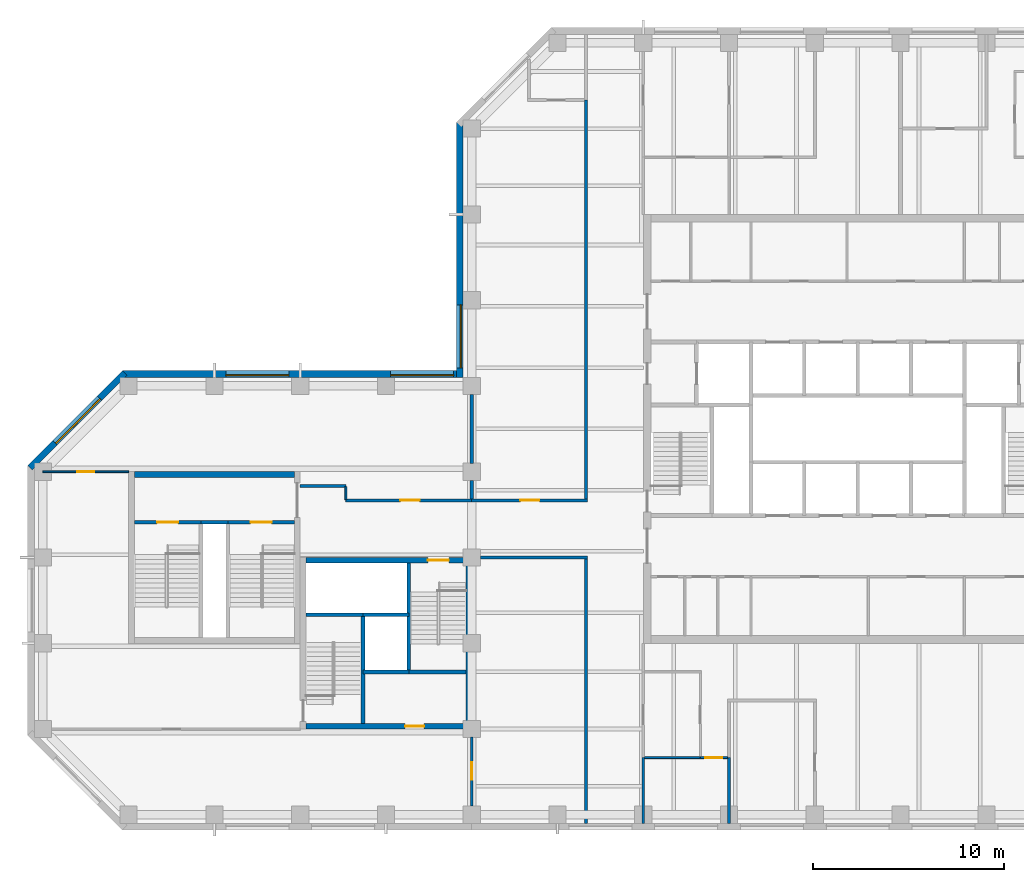
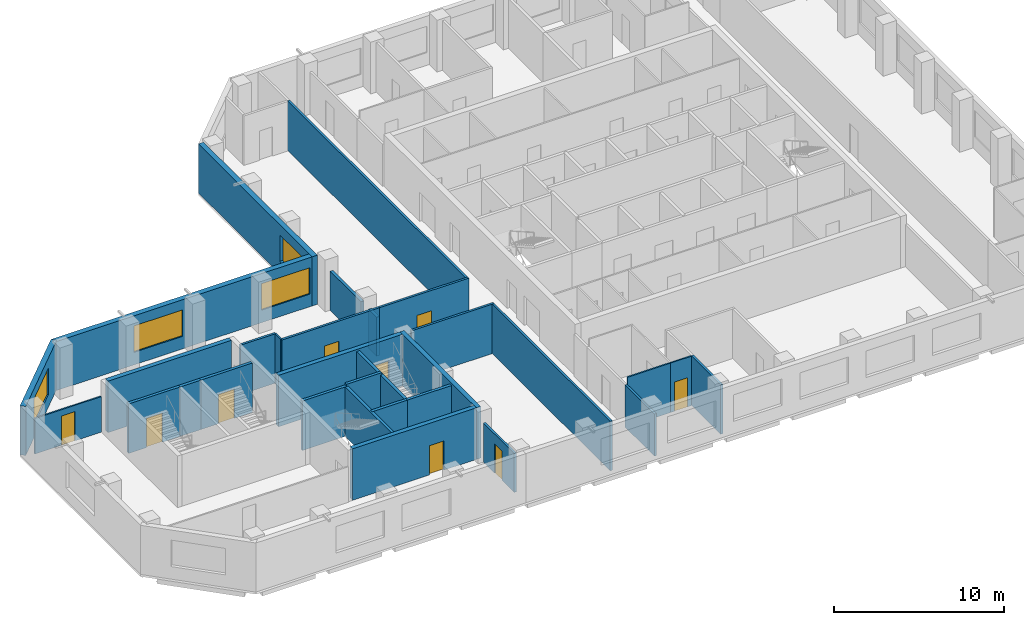
# One storey, part 3 of 9: 31 walls, 9 doors, 4 windows, 13 openings.
"""IFC4 building model written with IfcOpenShell, lengths in metres."""

from ifc_helpers import new_model, si_unit, direction, frame, frame_2d, origin, place, context, subcontext, project, spatial, rectangle, extrude, material, layer, layer_set, constituent, constituent_set, type_object, element, fill, save


model = new_model("IFC4")

# Units and contexts
model_context = context("Model", 3, precision=1e-05, world=origin(), true_north=direction((0.0, 1.0)))
body_context = subcontext(model_context, "Body", "Model", "MODEL_VIEW")
ifc_project = project(units=[si_unit("LENGTHUNIT", "METRE"), si_unit("AREAUNIT", "SQUARE_METRE"), si_unit("VOLUMEUNIT", "CUBIC_METRE"), si_unit("PLANEANGLEUNIT", "RADIAN"), si_unit("MASSUNIT", "GRAM", prefix="KILO")], contexts=[model_context])

# Site, building, storey
site_placement = place(None, origin())
site = spatial("IfcSite", under=ifc_project, at=site_placement, CompositionType="ELEMENT")
building_placement = place(site_placement, origin())
building = spatial("IfcBuilding", under=site, at=building_placement, Name="Quoin Convention Tower", CompositionType="ELEMENT")
storey_placement = place(building_placement, frame((0.0, 0.0, 169.89990234375)))
storey = spatial("IfcBuildingStorey", under=building, at=storey_placement, Name="L44", CompositionType="ELEMENT", Elevation=169.89990234375)

# Wall
ifc_material_1 = material(Name="Plasterboard")
ifc_layer_1 = layer(ifc_material_1, 0.012451171875, Name="Finish")
ifc_material_2 = material(Name="Steel stud framing", Category="steel")
ifc_layer_2 = layer(ifc_material_2, 0.125, Name="Structure")
ifc_layer_3 = layer(ifc_material_1, 0.012451171875, Name="Finish")
ifc_layer_set_1 = layer_set([ifc_layer_1, ifc_layer_2, ifc_layer_3], Name="Steel stud framing")
wall_type_1 = type_object("IfcWallType", Name="Acoustic partition 150", PredefinedType="PARTITIONING", material=ifc_layer_set_1)
wall_1_placement = place(storey_placement, frame((49.5, 40.050048828125, 0.0), z_axis=(0.0, 0.0, 1.0), x_axis=(0.0, 1.0, 0.0)))
element("IfcWall", 1, at=wall_1_placement, inside=storey, type_object=wall_type_1, Name="pw-L44-029", PredefinedType="PARTITIONING", context=body_context, shape_type="SweptSolid", body=[
    extrude(rectangle(XDim=3.449951171875, YDim=0.14990234375, at=frame_2d((1.72509765625, 0.0))), origin(), (0.0, 0.0, 1.0), 3.550048828125),
])

# Wall, opening, window
ifc_material_3 = material(Name="Brick masonry", Category="masonry")
ifc_layer_4 = layer(ifc_material_3, 0.35009765625)
ifc_layer_set_2 = layer_set([ifc_layer_4], Name="Brick masonry")
wall_type_2 = type_object("IfcWallType", Name="Brick facade wall", PredefinedType="STANDARD", material=ifc_layer_set_2)
wall_2_placement = place(storey_placement, frame((35.375, 76.831298828125, 0.0), z_axis=(0.0, 0.0, 1.0), x_axis=(0.0, -1.0, 0.0)))
wall_2 = element("IfcWall", 2, at=wall_2_placement, inside=storey, type_object=wall_type_2, Name="fw-L44-36000_76500", PredefinedType="STANDARD", context=body_context, shape_type="SweptSolid", body=[
    extrude(rectangle(XDim=13.38134765625, YDim=0.35009765625, at=frame_2d((6.690673828125, 0.0))), origin(), (0.0, 0.0, 1.0), 3.525146484375),
])
opening_1_placement = place(wall_2_placement, frame((9.581298828125, 0.0, 0.89990234375)))
opening_1 = element("IfcOpeningElement", 3, at=opening_1_placement, cuts=wall_2, Name="Opening W-02", PredefinedType="OPENING", context=body_context, shape_type="SweptSolid", body=[
    extrude(rectangle(XDim=3.300048828125, YDim=1.89990234375, at=frame_2d((1.64990234375, 0.949951171875))), frame((0.0, 0.18505859375, 0.0), z_axis=(0.0, -1.0, 0.0), x_axis=(1.0, 0.0, 0.0)), (0.0, 0.0, 1.0), 0.3701171875),
])
ifc_material_4 = material(Name="Aluminium", Category="aluminium")
ifc_constituent_1 = constituent(ifc_material_4, Name="Frame")
ifc_material_5 = material(Name="Insulated glass", Category="glass")
ifc_constituent_2 = constituent(ifc_material_5, Name="Glazing")
ifc_constituent_set = constituent_set(constituents=[ifc_constituent_1, ifc_constituent_2], Name="Aluminium")
window_type = type_object("IfcWindowType", Name="Office window", PartitioningType="DOUBLE_PANEL_VERTICAL", PredefinedType="WINDOW", material=ifc_constituent_set)
window_1_placement = place(opening_1_placement, origin())
window_1 = element("IfcWindow", 4, at=window_1_placement, inside=storey, type_object=window_type, Name="win-L44-35375_65250", OverallHeight=1.89990234375, OverallWidth=3.300048828125, PartitioningType="SINGLE_PANEL", PredefinedType="WINDOW", context=body_context, shape_type="SweptSolid", body=[
    extrude(rectangle(XDim=3.300048828125, YDim=1.89990234375, at=frame_2d((1.64990234375, 0.949951171875))), frame((0.0, 0.0849609375, 0.0), z_axis=(0.0, -1.0, 0.0), x_axis=(1.0, 0.0, 0.0)), (0.0, 0.0, 1.0), 0.06005859375),
])
fill(opening_1, window_1)

# Wall, openings, windows
wall_3_placement = place(storey_placement, frame((35.550048828125, 63.625, 0.0), z_axis=(0.0, 0.0, 1.0), x_axis=(-1.0, 0.0, 0.0)))
wall_3 = element("IfcWall", 5, at=wall_3_placement, inside=storey, type_object=wall_type_2, Name="fw-L44-36000_63000", PredefinedType="STANDARD", context=body_context, shape_type="SweptSolid", body=[
    extrude(rectangle(XDim=17.88134765625, YDim=0.35009765625, at=frame_2d((8.940673828125, 0.0))), origin(), (0.0, 0.0, 1.0), 3.525146484375),
])
opening_2_placement = place(wall_3_placement, frame((0.5, 0.0, 0.89990234375)))
opening_2 = element("IfcOpeningElement", 6, at=opening_2_placement, cuts=wall_3, Name="Opening W-02", PredefinedType="OPENING", context=body_context, shape_type="SweptSolid", body=[
    extrude(rectangle(XDim=3.300048828125, YDim=1.89990234375, at=frame_2d((1.64990234375, 0.949951171875))), frame((0.0, 0.18505859375, 0.0), z_axis=(0.0, -1.0, 0.0), x_axis=(1.0, 0.0, 0.0)), (0.0, 0.0, 1.0), 0.3701171875),
])
opening_3_placement = place(wall_3_placement, frame((9.14990234375, 0.0, 0.89990234375)))
opening_3 = element("IfcOpeningElement", 7, at=opening_3_placement, cuts=wall_3, Name="Opening W-02", PredefinedType="OPENING", context=body_context, shape_type="SweptSolid", body=[
    extrude(rectangle(XDim=3.300048828125, YDim=1.89990234375, at=frame_2d((1.64990234375, 0.949951171875))), frame((0.0, 0.18505859375, 0.0), z_axis=(0.0, -1.0, 0.0), x_axis=(1.0, 0.0, 0.0)), (0.0, 0.0, 1.0), 0.3701171875),
])
window_2_placement = place(opening_2_placement, origin())
window_2 = element("IfcWindow", 8, at=window_2_placement, inside=storey, type_object=window_type, Name="win-L44-33750_63625", OverallHeight=1.89990234375, OverallWidth=3.300048828125, PartitioningType="SINGLE_PANEL", PredefinedType="WINDOW", context=body_context, shape_type="SweptSolid", body=[
    extrude(rectangle(XDim=3.300048828125, YDim=1.89990234375, at=frame_2d((1.64990234375, 0.949951171875))), frame((0.0, 0.0849609375, 0.0), z_axis=(0.0, -1.0, 0.0), x_axis=(1.0, 0.0, 0.0)), (0.0, 0.0, 1.0), 0.06005859375),
])
fill(opening_2, window_2)
window_3_placement = place(opening_3_placement, origin())
window_3 = element("IfcWindow", 9, at=window_3_placement, inside=storey, type_object=window_type, Name="win-L44-24750_63625", OverallHeight=1.89990234375, OverallWidth=3.300048828125, PartitioningType="SINGLE_PANEL", PredefinedType="WINDOW", context=body_context, shape_type="SweptSolid", body=[
    extrude(rectangle(XDim=3.300048828125, YDim=1.89990234375, at=frame_2d((1.64990234375, 0.949951171875))), frame((0.0, 0.0849609375, 0.0), z_axis=(0.0, -1.0, 0.0), x_axis=(1.0, 0.0, 0.0)), (0.0, 0.0, 1.0), 0.06005859375),
])
fill(opening_3, window_3)

# Wall, opening, window
wall_4_placement = place(storey_placement, frame((17.79248046875, 63.67626953125, 0.0), z_axis=(0.0, 0.0, 1.0), x_axis=(-0.707106781187, -0.707106781187, 0.0)))
wall_4 = element("IfcWall", 10, at=wall_4_placement, inside=storey, type_object=wall_type_2, Name="fw-L44-18000_63000", PredefinedType="STANDARD", context=body_context, shape_type="SweptSolid", body=[
    extrude(rectangle(XDim=7.02685546875, YDim=0.35009765625, at=frame_2d((3.513427734375, 0.0))), origin(), (0.0, 0.0, 1.0), 3.525146484375),
])
opening_4_placement = place(wall_4_placement, frame((1.86328125, 0.0, 0.89990234375)))
opening_4 = element("IfcOpeningElement", 11, at=opening_4_placement, cuts=wall_4, Name="Opening W-02", PredefinedType="OPENING", context=body_context, shape_type="SweptSolid", body=[
    extrude(rectangle(XDim=3.300048828125, YDim=1.89990234375, at=frame_2d((1.64990234375, 0.949951171875))), frame((0.0, 0.18505859375, 0.0), z_axis=(0.0, -1.0, 0.0), x_axis=(1.0, 0.0, 0.0)), (0.0, 0.0, 1.0), 0.3701171875),
])
window_4_placement = place(opening_4_placement, origin())
window_4 = element("IfcWindow", 12, at=window_4_placement, inside=storey, type_object=window_type, Name="win-L44-15308_61192", OverallHeight=1.89990234375, OverallWidth=3.300048828125, PartitioningType="SINGLE_PANEL", PredefinedType="WINDOW", context=body_context, shape_type="SweptSolid", body=[
    extrude(rectangle(XDim=3.300048828125, YDim=1.89990234375, at=frame_2d((1.64990234375, 0.949951171875))), frame((0.0, 0.0849609375, 0.0), z_axis=(0.0, -1.0, 0.0), x_axis=(1.0, 0.0, 0.0)), (0.0, 0.0, 1.0), 0.06005859375),
])
fill(opening_4, window_4)

# Walls
ifc_material_6 = material(Name="Concrete C50", Category="concrete")
ifc_layer_5 = layer(ifc_material_6, 0.199951171875)
ifc_layer_set_3 = layer_set([ifc_layer_5], Name="Concrete C50")
wall_type_3 = type_object("IfcWallType", Name="Core shaft wall", PredefinedType="SOLIDWALL", material=ifc_layer_set_3)
wall_5_placement = place(storey_placement, frame((30.300048828125, 48.0, 0.0), z_axis=(0.0, 0.0, 1.0), x_axis=(1.0, 0.0, 0.0)))
element("IfcWall", 13, at=wall_5_placement, inside=storey, type_object=wall_type_3, Name="cr-P2-L44-h3000_3300", PredefinedType="SOLIDWALL", context=body_context, shape_type="SweptSolid", body=[
    extrude(rectangle(XDim=2.39990234375, YDim=0.199951171875, at=frame_2d((1.199951171875, 0.0))), origin(), (0.0, 0.0, 1.0), 3.550048828125),
])
for number, where, z_axis, x_axis, name in (
    (14, (32.699951171875, 48.0, 0.0), (0.0, 0.0, 1.0), (1.0, 0.0, 0.0), "cr-P2-L44-h3000_5700"),
    (15, (27.300048828125, 51.0, 0.0), (0.0, 0.0, 1.0), (1.0, 0.0, 0.0), "cr-P2-L44-h6000_300"),
):
    element("IfcWall", number, at=place(storey_placement, frame(where, z_axis=z_axis, x_axis=x_axis)), inside=storey, type_object=wall_type_3, Name=name, PredefinedType="SOLIDWALL", context=body_context, shape_type="SweptSolid", body=[
        extrude(rectangle(XDim=3.0, YDim=0.199951171875, at=frame_2d((1.5, 0.0))), origin(), (0.0, 0.0, 1.0), 3.550048828125),
    ])
for number, where, z_axis, x_axis, name in (
    (16, (30.300048828125, 45.300048828125, 0.0), (0.0, 0.0, 1.0), (0.0, 1.0, 0.0), "cr-P2-L44-v3300_300"),
    (17, (32.699951171875, 48.0, 0.0), (0.0, 0.0, 1.0), (0.0, 1.0, 0.0), "cr-P2-L44-v5700_3000"),
):
    element("IfcWall", number, at=place(storey_placement, frame(where, z_axis=z_axis, x_axis=x_axis)), inside=storey, type_object=wall_type_3, Name=name, PredefinedType="SOLIDWALL", context=body_context, shape_type="SweptSolid", body=[
        extrude(rectangle(XDim=5.699951171875, YDim=0.199951171875, at=frame_2d((2.85009765625, 0.0))), origin(), (0.0, 0.0, 1.0), 3.550048828125),
    ])
wall_6_placement = place(storey_placement, frame((21.800048828125, 55.85009765625, 0.0), z_axis=(0.0, 0.0, 1.0), x_axis=(1.0, 0.0, 0.0)))
element("IfcWall", 18, at=wall_6_placement, inside=storey, type_object=wall_type_3, Name="cr-P6-L44-h6350_3800", PredefinedType="SOLIDWALL", context=body_context, shape_type="SweptSolid", body=[
    extrude(rectangle(XDim=1.39990234375, YDim=0.199951171875, at=frame_2d((0.699951171875, 0.0))), origin(), (0.0, 0.0, 1.0), 3.550048828125),
])

# Wall, opening, door
wall_7_placement = place(storey_placement, frame((18.300048828125, 55.85009765625, 0.0), z_axis=(0.0, 0.0, 1.0), x_axis=(1.0, 0.0, 0.0)))
wall_7 = element("IfcWall", 19, at=wall_7_placement, inside=storey, type_object=wall_type_3, Name="cr-P6-L44-h6350_300", PredefinedType="SOLIDWALL", context=body_context, shape_type="SweptSolid", body=[
    extrude(rectangle(XDim=3.5, YDim=0.199951171875, at=frame_2d((1.75, 0.0))), origin(), (0.0, 0.0, 1.0), 3.550048828125),
])
opening_5_placement = place(wall_7_placement, frame((1.199951171875, 0.0, 0.0)))
opening_5 = element("IfcOpeningElement", 20, at=opening_5_placement, cuts=wall_7, Name="Opening SD11", PredefinedType="OPENING", context=body_context, shape_type="SweptSolid", body=[
    extrude(rectangle(XDim=1.10009765625, YDim=2.10009765625, at=frame_2d((0.550048828125, 1.050048828125))), frame((0.0, 0.10986328125, 0.0), z_axis=(0.0, -1.0, 0.0), x_axis=(1.0, 0.0, 0.0)), (0.0, 0.0, 1.0), 0.219970703125),
])
ifc_material_7 = material(Name="Steel door leaf", Category="steel")
door_type_1 = type_object("IfcDoorType", Name="Stair door 1100 x 2100", OperationType="SINGLE_SWING_RIGHT", PredefinedType="DOOR", material=ifc_material_7)
door_1_placement = place(opening_5_placement, origin())
door_1 = element("IfcDoor", 21, at=door_1_placement, inside=storey, type_object=door_type_1, Name="cd-P6-L44-SA-R2-SD11", OperationType="SINGLE_SWING_RIGHT", OverallHeight=2.10009765625, OverallWidth=1.10009765625, PredefinedType="DOOR", context=body_context, shape_type="SweptSolid", body=[
    extrude(rectangle(XDim=1.10009765625, YDim=2.10009765625, at=frame_2d((0.550048828125, 1.050048828125))), frame((0.0, 0.02490234375, 0.0), z_axis=(0.0, -1.0, 0.0), x_axis=(1.0, 0.0, 0.0)), (0.0, 0.0, 1.0), 0.050048828125),
])
fill(opening_5, door_1)

wall_8_placement = place(storey_placement, frame((23.199951171875, 55.85009765625, 0.0), z_axis=(0.0, 0.0, 1.0), x_axis=(1.0, 0.0, 0.0)))
wall_8 = element("IfcWall", 22, at=wall_8_placement, inside=storey, type_object=wall_type_3, Name="cr-P6-L44-h6350_5200", PredefinedType="SOLIDWALL", context=body_context, shape_type="SweptSolid", body=[
    extrude(rectangle(XDim=3.5, YDim=0.199951171875, at=frame_2d((1.75, 0.0))), origin(), (0.0, 0.0, 1.0), 3.550048828125),
])
opening_6_placement = place(wall_8_placement, frame((1.199951171875, 0.0, 0.0)))
opening_6 = element("IfcOpeningElement", 23, at=opening_6_placement, cuts=wall_8, Name="Opening SD12", PredefinedType="OPENING", context=body_context, shape_type="SweptSolid", body=[
    extrude(rectangle(XDim=1.10009765625, YDim=2.10009765625, at=frame_2d((0.550048828125, 1.050048828125))), frame((0.0, 0.10986328125, 0.0), z_axis=(0.0, -1.0, 0.0), x_axis=(1.0, 0.0, 0.0)), (0.0, 0.0, 1.0), 0.219970703125),
])
door_2_placement = place(opening_6_placement, origin())
door_2 = element("IfcDoor", 24, at=door_2_placement, inside=storey, type_object=door_type_1, Name="cd-P6-L44-SB-R2-SD12", OperationType="SINGLE_SWING_RIGHT", OverallHeight=2.10009765625, OverallWidth=1.10009765625, PredefinedType="DOOR", context=body_context, shape_type="SweptSolid", body=[
    extrude(rectangle(XDim=1.10009765625, YDim=2.10009765625, at=frame_2d((0.550048828125, 1.050048828125))), frame((0.0, 0.02490234375, 0.0), z_axis=(0.0, -1.0, 0.0), x_axis=(1.0, 0.0, 0.0)), (0.0, 0.0, 1.0), 0.050048828125),
])
fill(opening_6, door_2)

# Walls
ifc_layer_6 = layer(ifc_material_6, 0.199951171875)
ifc_layer_set_4 = layer_set([ifc_layer_6], Name="Concrete C50")
wall_type_4 = type_object("IfcWallType", Name="Core shaft wall to the floor level over", PredefinedType="SOLIDWALL", material=ifc_layer_set_4)
wall_9_placement = place(storey_placement, frame((30.300048828125, 51.0, 0.0), z_axis=(0.0, 0.0, 1.0), x_axis=(1.0, 0.0, 0.0)))
element("IfcWall", 25, at=wall_9_placement, inside=storey, type_object=wall_type_4, Name="cr-P2-L44-h6000_3300", PredefinedType="SOLIDWALL", context=body_context, shape_type="SweptSolid", body=[
    extrude(rectangle(XDim=2.39990234375, YDim=0.199951171875, at=frame_2d((1.199951171875, 0.0))), origin(), (0.0, 0.0, 1.0), 3.7001953125),
])
ifc_layer_7 = layer(ifc_material_1, 0.012451171875, Name="Finish")
ifc_layer_8 = layer(ifc_material_2, 0.125, Name="Structure")
ifc_layer_9 = layer(ifc_material_1, 0.012451171875, Name="Finish")
ifc_layer_set_5 = layer_set([ifc_layer_7, ifc_layer_8, ifc_layer_9], Name="Steel stud framing")
wall_type_5 = type_object("IfcWallType", Name="Corridor wall 150", PredefinedType="PARTITIONING", material=ifc_layer_set_5)
wall_10_placement = place(storey_placement, frame((36.449951171875, 54.0, 0.0), z_axis=(0.0, 0.0, 1.0), x_axis=(1.0, 0.0, 0.0)))
element("IfcWall", 26, at=wall_10_placement, inside=storey, type_object=wall_type_5, Name="pw-L44-014", PredefinedType="PARTITIONING", context=body_context, shape_type="SweptSolid", body=[
    extrude(rectangle(XDim=5.625, YDim=0.14990234375, at=frame_2d((2.8125, 0.0))), origin(), (0.0, 0.0, 1.0), 3.550048828125),
])

# Wall, opening, door
wall_11_placement = place(storey_placement, frame((29.3798828125, 57.0, 0.0), z_axis=(0.0, 0.0, 1.0), x_axis=(1.0, 0.0, 0.0)))
wall_11 = element("IfcWall", 27, at=wall_11_placement, inside=storey, type_object=wall_type_5, Name="pw-L44-015", PredefinedType="PARTITIONING", context=body_context, shape_type="SweptSolid", body=[
    extrude(rectangle(XDim=6.6201171875, YDim=0.14990234375, at=frame_2d((3.31005859375, 0.0))), origin(), (0.0, 0.0, 1.0), 3.550048828125),
])
opening_7_placement = place(wall_11_placement, frame((2.8798828125, 0.0, 0.0)))
opening_7 = element("IfcOpeningElement", 28, at=opening_7_placement, cuts=wall_11, Name="Opening DOH4-04", PredefinedType="OPENING", context=body_context, shape_type="SweptSolid", body=[
    extrude(rectangle(XDim=1.0, YDim=2.10009765625, at=frame_2d((0.5, 1.050048828125))), frame((0.0, 0.0849609375, 0.0), z_axis=(0.0, -1.0, 0.0), x_axis=(1.0, 0.0, 0.0)), (0.0, 0.0, 1.0), 0.169921875),
])
door_type_2 = type_object("IfcDoorType", Name="Tenancy entrance door 1000 x 2100", OperationType="DOUBLE_DOOR_SINGLE_SWING", PredefinedType="DOOR", material=ifc_material_7)
door_3_placement = place(opening_7_placement, origin())
door_3 = element("IfcDoor", 29, at=door_3_placement, inside=storey, type_object=door_type_2, Name="dr-L44-w01", OperationType="DOUBLE_DOOR_SINGLE_SWING", OverallHeight=2.10009765625, OverallWidth=1.0, PredefinedType="DOOR", context=body_context, shape_type="SweptSolid", body=[
    extrude(rectangle(XDim=1.0, YDim=2.10009765625, at=frame_2d((0.5, 1.050048828125))), frame((0.0, 0.02490234375, 0.0), z_axis=(0.0, -1.0, 0.0), x_axis=(1.0, 0.0, 0.0)), (0.0, 0.0, 1.0), 0.050048828125),
])
fill(opening_7, door_3)

wall_12_placement = place(storey_placement, frame((36.0, 57.0, 0.0), z_axis=(0.0, 0.0, 1.0), x_axis=(1.0, 0.0, 0.0)))
wall_12 = element("IfcWall", 30, at=wall_12_placement, inside=storey, type_object=wall_type_5, Name="pw-L44-016", PredefinedType="PARTITIONING", context=body_context, shape_type="SweptSolid", body=[
    extrude(rectangle(XDim=6.074951171875, YDim=0.14990234375, at=frame_2d((3.03759765625, 0.0))), origin(), (0.0, 0.0, 1.0), 3.550048828125),
])
opening_8_placement = place(wall_12_placement, frame((2.550048828125, 0.0, 0.0)))
opening_8 = element("IfcOpeningElement", 31, at=opening_8_placement, cuts=wall_12, Name="Opening DOH4-05", PredefinedType="OPENING", context=body_context, shape_type="SweptSolid", body=[
    extrude(rectangle(XDim=1.0, YDim=2.10009765625, at=frame_2d((0.5, 1.050048828125))), frame((0.0, 0.0849609375, 0.0), z_axis=(0.0, -1.0, 0.0), x_axis=(1.0, 0.0, 0.0)), (0.0, 0.0, 1.0), 0.169921875),
])
door_4_placement = place(opening_8_placement, origin())
door_4 = element("IfcDoor", 32, at=door_4_placement, inside=storey, type_object=door_type_2, Name="dr-L44-09", OperationType="DOUBLE_DOOR_SINGLE_SWING", OverallHeight=2.10009765625, OverallWidth=1.0, PredefinedType="DOOR", context=body_context, shape_type="SweptSolid", body=[
    extrude(rectangle(XDim=1.0, YDim=2.10009765625, at=frame_2d((0.5, 1.050048828125))), frame((0.0, 0.02490234375, 0.0), z_axis=(0.0, -1.0, 0.0), x_axis=(1.0, 0.0, 0.0)), (0.0, 0.0, 1.0), 0.050048828125),
])
fill(opening_8, door_4)

# Walls
wall_13_placement = place(storey_placement, frame((42.0, 40.050048828125, 0.0), z_axis=(0.0, 0.0, 1.0), x_axis=(0.0, 1.0, 0.0)))
element("IfcWall", 33, at=wall_13_placement, inside=storey, type_object=wall_type_5, Name="pw-L44-027", PredefinedType="PARTITIONING", context=body_context, shape_type="SweptSolid", body=[
    extrude(rectangle(XDim=13.875, YDim=0.14990234375, at=frame_2d((6.9375, 0.0))), origin(), (0.0, 0.0, 1.0), 3.550048828125),
])
wall_14_placement = place(storey_placement, frame((42.0, 57.074951171875, 0.0), z_axis=(0.0, 0.0, 1.0), x_axis=(0.0, 1.0, 0.0)))
element("IfcWall", 34, at=wall_14_placement, inside=storey, type_object=wall_type_5, Name="pw-L44-048", PredefinedType="PARTITIONING", context=body_context, shape_type="SweptSolid", body=[
    extrude(rectangle(XDim=20.925048828125, YDim=0.14990234375, at=frame_2d((10.46240234375, 0.0))), origin(), (0.0, 0.0, 1.0), 3.550048828125),
])
wall_15_placement = place(storey_placement, frame((27.0, 57.75, 0.0), z_axis=(0.0, 0.0, 1.0), x_axis=(1.0, 0.0, 0.0)))
element("IfcWall", 35, at=wall_15_placement, inside=storey, type_object=wall_type_5, Name="pw-L44-w03", PredefinedType="PARTITIONING", context=body_context, shape_type="SweptSolid", body=[
    extrude(rectangle(XDim=2.39990234375, YDim=0.14990234375, at=frame_2d((1.199951171875, 0.0))), origin(), (0.0, 0.0, 1.0), 3.550048828125),
])
ifc_layer_10 = layer(ifc_material_1, 0.012451171875, Name="Finish")
ifc_layer_11 = layer(ifc_material_2, 0.125, Name="Structure")
ifc_layer_12 = layer(ifc_material_1, 0.012451171875, Name="Finish")
ifc_layer_set_6 = layer_set([ifc_layer_10, ifc_layer_11, ifc_layer_12], Name="Steel stud framing")
wall_type_6 = type_object("IfcWallType", Name="Corridor wall 150 under beam 528", PredefinedType="PARTITIONING", material=ifc_layer_set_6)
wall_16_placement = place(storey_placement, frame((45.0, 40.050048828125, 0.0), z_axis=(0.0, 0.0, 1.0), x_axis=(0.0, 1.0, 0.0)))
element("IfcWall", 36, at=wall_16_placement, inside=storey, type_object=wall_type_6, Name="pw-L44-028", PredefinedType="PARTITIONING", context=body_context, shape_type="SweptSolid", body=[
    extrude(rectangle(XDim=3.449951171875, YDim=0.14990234375, at=frame_2d((1.72509765625, 0.0))), origin(), (0.0, 0.0, 1.0), 3.022216796875),
])

# Wall, opening, door
ifc_layer_13 = layer(ifc_material_1, 0.012451171875, Name="Finish")
ifc_layer_14 = layer(ifc_material_2, 0.125, Name="Structure")
ifc_layer_15 = layer(ifc_material_1, 0.012451171875, Name="Finish")
ifc_layer_set_7 = layer_set([ifc_layer_13, ifc_layer_14, ifc_layer_15], Name="Steel stud framing")
wall_type_7 = type_object("IfcWallType", Name="Corridor wall 150 under beam 750", PredefinedType="PARTITIONING", material=ifc_layer_set_7)
wall_17_placement = place(storey_placement, frame((36.0, 40.949951171875, 0.0), z_axis=(0.0, 0.0, 1.0), x_axis=(0.0, 1.0, 0.0)))
wall_17 = element("IfcWall", 37, at=wall_17_placement, inside=storey, type_object=wall_type_7, Name="pw-L44-033", PredefinedType="PARTITIONING", context=body_context, shape_type="SweptSolid", body=[
    extrude(rectangle(XDim=3.630126953125, YDim=0.14990234375, at=frame_2d((1.81494140625, 0.0))), origin(), (0.0, 0.0, 1.0), 2.800048828125),
])
opening_9_placement = place(wall_17_placement, frame((1.39990234375, 0.0, 0.0)))
opening_9 = element("IfcOpeningElement", 38, at=opening_9_placement, cuts=wall_17, Name="Opening DOH4-11", PredefinedType="OPENING", context=body_context, shape_type="SweptSolid", body=[
    extrude(rectangle(XDim=0.89990234375, YDim=2.10009765625, at=frame_2d((0.449951171875, 1.050048828125))), frame((0.0, 0.0849609375, 0.0), z_axis=(0.0, -1.0, 0.0), x_axis=(1.0, 0.0, 0.0)), (0.0, 0.0, 1.0), 0.169921875),
])
door_type_3 = type_object("IfcDoorType", Name="Office door 900 x 2100", OperationType="SINGLE_SWING_RIGHT", PredefinedType="DOOR", material=ifc_material_7)
door_5_placement = place(opening_9_placement, origin())
door_5 = element("IfcDoor", 39, at=door_5_placement, inside=storey, type_object=door_type_3, Name="dr-L44-01", OperationType="SINGLE_SWING_RIGHT", OverallHeight=2.10009765625, OverallWidth=0.89990234375, PredefinedType="DOOR", context=body_context, shape_type="SweptSolid", body=[
    extrude(rectangle(XDim=0.89990234375, YDim=2.10009765625, at=frame_2d((0.449951171875, 1.050048828125))), frame((0.0, 0.02490234375, 0.0), z_axis=(0.0, -1.0, 0.0), x_axis=(1.0, 0.0, 0.0)), (0.0, 0.0, 1.0), 0.050048828125),
])
fill(opening_9, door_5)

ifc_layer_16 = layer(ifc_material_6, 0.300048828125)
ifc_layer_set_8 = layer_set([ifc_layer_16], Name="Concrete C50")
wall_type_8 = type_object("IfcWallType", Name="RC CORE WALL 300 C50", PredefinedType="SHEAR", material=ifc_layer_set_8)
wall_18_placement = place(storey_placement, frame((27.300048828125, 45.14990234375, 0.0), z_axis=(0.0, 0.0, 1.0), x_axis=(1.0, 0.0, 0.0)))
wall_18 = element("IfcWall", 40, at=wall_18_placement, inside=storey, type_object=wall_type_8, Name="cwl-P2-L44-S", PredefinedType="SHEAR", context=body_context, shape_type="SweptSolid", body=[
    extrude(rectangle(XDim=8.39990234375, YDim=0.300048828125, at=frame_2d((4.199951171875, 0.0))), origin(), (0.0, 0.0, 1.0), 3.7001953125),
])
opening_10_placement = place(wall_18_placement, frame((5.199951171875, 0.0, 0.0)))
opening_10 = element("IfcOpeningElement", 41, at=opening_10_placement, cuts=wall_18, Name="Opening DCV3-41", PredefinedType="OPENING", context=body_context, shape_type="SweptSolid", body=[
    extrude(rectangle(XDim=1.0, YDim=2.10009765625, at=frame_2d((0.5, 1.050048828125))), frame((0.0, 0.159912109375, 0.0), z_axis=(0.0, -1.0, 0.0), x_axis=(1.0, 0.0, 0.0)), (0.0, 0.0, 1.0), 0.320068359375),
])
door_type_4 = type_object("IfcDoorType", Name="Service door 1000 x 2100", OperationType="SINGLE_SWING_LEFT", PredefinedType="DOOR", material=ifc_material_7)
door_6_placement = place(opening_10_placement, frame((1.0, 0.0, 0.0), z_axis=(0.0, 0.0, 1.0), x_axis=(-1.0, 0.0, 0.0)))
door_6 = element("IfcDoor", 42, at=door_6_placement, inside=storey, type_object=door_type_4, Name="cd-P2-L44-R2-S", OperationType="SINGLE_SWING_LEFT", OverallHeight=2.10009765625, OverallWidth=1.0, PredefinedType="DOOR", context=body_context, shape_type="SweptSolid", body=[
    extrude(rectangle(XDim=1.0, YDim=2.10009765625, at=frame_2d((0.5, 1.050048828125))), frame((0.0, 0.02490234375, 0.0), z_axis=(0.0, -1.0, 0.0), x_axis=(1.0, 0.0, 0.0)), (0.0, 0.0, 1.0), 0.050048828125),
])
fill(opening_10, door_6)

wall_19_placement = place(storey_placement, frame((27.300048828125, 53.85009765625, 0.0), z_axis=(0.0, 0.0, 1.0), x_axis=(1.0, 0.0, 0.0)))
wall_19 = element("IfcWall", 43, at=wall_19_placement, inside=storey, type_object=wall_type_8, Name="cwl-P2-L44-N", PredefinedType="SHEAR", context=body_context, shape_type="SweptSolid", body=[
    extrude(rectangle(XDim=8.39990234375, YDim=0.300048828125, at=frame_2d((4.199951171875, 0.0))), origin(), (0.0, 0.0, 1.0), 3.7001953125),
])
opening_11_placement = place(wall_19_placement, frame((6.39990234375, 0.0, 0.0)))
opening_11 = element("IfcOpeningElement", 44, at=opening_11_placement, cuts=wall_19, Name="Opening SD4", PredefinedType="OPENING", context=body_context, shape_type="SweptSolid", body=[
    extrude(rectangle(XDim=1.10009765625, YDim=2.10009765625, at=frame_2d((0.550048828125, 1.050048828125))), frame((0.0, 0.159912109375, 0.0), z_axis=(0.0, -1.0, 0.0), x_axis=(1.0, 0.0, 0.0)), (0.0, 0.0, 1.0), 0.320068359375),
])
door_7_placement = place(opening_11_placement, frame((1.10009765625, 0.0, 0.0), z_axis=(0.0, 0.0, 1.0), x_axis=(-1.0, 0.0, 0.0)))
door_7 = element("IfcDoor", 45, at=door_7_placement, inside=storey, type_object=door_type_1, Name="cd-P2-L44-SB-N", OperationType="SINGLE_SWING_LEFT", OverallHeight=2.10009765625, OverallWidth=1.10009765625, PredefinedType="DOOR", context=body_context, shape_type="SweptSolid", body=[
    extrude(rectangle(XDim=1.10009765625, YDim=2.10009765625, at=frame_2d((0.550048828125, 1.050048828125))), frame((0.0, 0.02490234375, 0.0), z_axis=(0.0, -1.0, 0.0), x_axis=(1.0, 0.0, 0.0)), (0.0, 0.0, 1.0), 0.050048828125),
])
fill(opening_11, door_7)

# Walls
wall_20_placement = place(storey_placement, frame((35.85009765625, 45.0, 0.0), z_axis=(0.0, 0.0, 1.0), x_axis=(0.0, 1.0, 0.0)))
element("IfcWall", 46, at=wall_20_placement, inside=storey, type_object=wall_type_8, Name="cwl-P2-L44-E", PredefinedType="SHEAR", context=body_context, shape_type="SweptSolid", body=[
    extrude(rectangle(XDim=9.0, YDim=0.300048828125, at=frame_2d((4.5, 0.0))), origin(), (0.0, 0.0, 1.0), 3.7001953125),
])
wall_21_placement = place(storey_placement, frame((18.300048828125, 58.35009765625, 0.0), z_axis=(0.0, 0.0, 1.0), x_axis=(1.0, 0.0, 0.0)))
element("IfcWall", 47, at=wall_21_placement, inside=storey, type_object=wall_type_8, Name="cwl-P6-L44-N", PredefinedType="SHEAR", context=body_context, shape_type="SweptSolid", body=[
    extrude(rectangle(XDim=8.39990234375, YDim=0.300048828125, at=frame_2d((4.199951171875, 0.0))), origin(), (0.0, 0.0, 1.0), 3.7001953125),
])
ifc_layer_17 = layer(ifc_material_1, 0.012451171875, Name="Finish")
ifc_layer_18 = layer(ifc_material_2, 0.074951171875, Name="Structure")
ifc_layer_19 = layer(ifc_material_1, 0.012451171875, Name="Finish")
ifc_layer_set_9 = layer_set([ifc_layer_17, ifc_layer_18, ifc_layer_19], Name="Steel stud framing")
wall_type_9 = type_object("IfcWallType", Name="Stud partition 100", PredefinedType="PARTITIONING", material=ifc_layer_set_9)
wall_22_placement = place(storey_placement, frame((45.074951171875, 43.5, 0.0), z_axis=(0.0, 0.0, 1.0), x_axis=(1.0, 0.0, 0.0)))
element("IfcWall", 48, at=wall_22_placement, inside=storey, type_object=wall_type_9, Name="pw-L44-002", PredefinedType="PARTITIONING", context=body_context, shape_type="SweptSolid", body=[
    extrude(rectangle(XDim=2.925048828125, YDim=0.10009765625, at=frame_2d((1.46240234375, 0.0))), origin(), (0.0, 0.0, 1.0), 3.550048828125),
])

# Wall, opening, door
wall_23_placement = place(storey_placement, frame((48.0, 43.5, 0.0), z_axis=(0.0, 0.0, 1.0), x_axis=(1.0, 0.0, 0.0)))
wall_23 = element("IfcWall", 49, at=wall_23_placement, inside=storey, type_object=wall_type_9, Name="pw-L44-003", PredefinedType="PARTITIONING", context=body_context, shape_type="SweptSolid", body=[
    extrude(rectangle(XDim=1.425048828125, YDim=0.10009765625, at=frame_2d((0.71240234375, 0.0))), origin(), (0.0, 0.0, 1.0), 3.550048828125),
])
opening_12_placement = place(wall_23_placement, frame((0.25, 0.0, 0.0)))
opening_12 = element("IfcOpeningElement", 50, at=opening_12_placement, cuts=wall_23, Name="Opening DOH4-01", PredefinedType="OPENING", context=body_context, shape_type="SweptSolid", body=[
    extrude(rectangle(XDim=0.89990234375, YDim=2.10009765625, at=frame_2d((0.449951171875, 1.050048828125))), frame((0.0, 0.06005859375, 0.0), z_axis=(0.0, -1.0, 0.0), x_axis=(1.0, 0.0, 0.0)), (0.0, 0.0, 1.0), 0.1201171875),
])
door_8_placement = place(opening_12_placement, origin())
door_8 = element("IfcDoor", 51, at=door_8_placement, inside=storey, type_object=door_type_3, Name="dr-L44-14", OperationType="SINGLE_SWING_LEFT", OverallHeight=2.10009765625, OverallWidth=0.89990234375, PredefinedType="DOOR", context=body_context, shape_type="SweptSolid", body=[
    extrude(rectangle(XDim=0.89990234375, YDim=2.10009765625, at=frame_2d((0.449951171875, 1.050048828125))), frame((0.0, 0.02490234375, 0.0), z_axis=(0.0, -1.0, 0.0), x_axis=(1.0, 0.0, 0.0)), (0.0, 0.0, 1.0), 0.050048828125),
])
fill(opening_12, door_8)

# Wall
wall_24_placement = place(storey_placement, frame((29.39990234375, 57.715087890625, 0.0), z_axis=(0.0, 0.0, 1.0), x_axis=(0.0, -1.0, 0.0)))
element("IfcWall", 52, at=wall_24_placement, inside=storey, type_object=wall_type_9, Name="pw-L44-w04", PredefinedType="PARTITIONING", context=body_context, shape_type="SweptSolid", body=[
    extrude(rectangle(XDim=0.68017578125, YDim=0.10009765625, at=frame_2d((0.340087890625, 0.0))), origin(), (0.0, 0.0, 1.0), 3.550048828125),
])

# Wall, opening, door
ifc_layer_20 = layer(ifc_material_1, 0.012451171875, Name="Finish")
ifc_layer_21 = layer(ifc_material_2, 0.074951171875, Name="Structure")
ifc_layer_22 = layer(ifc_material_1, 0.012451171875, Name="Finish")
ifc_layer_set_10 = layer_set([ifc_layer_20, ifc_layer_21, ifc_layer_22], Name="Steel stud framing")
wall_type_10 = type_object("IfcWallType", Name="Stud partition 100 under beam 1000", PredefinedType="PARTITIONING", material=ifc_layer_set_10)
wall_25_placement = place(storey_placement, frame((13.5, 58.5, 0.0), z_axis=(0.0, 0.0, 1.0), x_axis=(1.0, 0.0, 0.0)))
wall_25 = element("IfcWall", 53, at=wall_25_placement, inside=storey, type_object=wall_type_10, Name="pw-L44-w01", PredefinedType="PARTITIONING", context=body_context, shape_type="SweptSolid", body=[
    extrude(rectangle(XDim=4.5, YDim=0.10009765625, at=frame_2d((2.25, 0.0))), origin(), (0.0, 0.0, 1.0), 2.550048828125),
])
opening_13_placement = place(wall_25_placement, frame((1.800048828125, 0.0, 0.0)))
opening_13 = element("IfcOpeningElement", 54, at=opening_13_placement, cuts=wall_25, Name="Opening DOH4-20", PredefinedType="OPENING", context=body_context, shape_type="SweptSolid", body=[
    extrude(rectangle(XDim=0.89990234375, YDim=2.10009765625, at=frame_2d((0.449951171875, 1.050048828125))), frame((0.0, 0.06005859375, 0.0), z_axis=(0.0, -1.0, 0.0), x_axis=(1.0, 0.0, 0.0)), (0.0, 0.0, 1.0), 0.1201171875),
])
door_9_placement = place(opening_13_placement, origin())
door_9 = element("IfcDoor", 55, at=door_9_placement, inside=storey, type_object=door_type_3, Name="dr-L44-w02", OperationType="SINGLE_SWING_RIGHT", OverallHeight=2.10009765625, OverallWidth=0.89990234375, PredefinedType="DOOR", context=body_context, shape_type="SweptSolid", body=[
    extrude(rectangle(XDim=0.89990234375, YDim=2.10009765625, at=frame_2d((0.449951171875, 1.050048828125))), frame((0.0, 0.02490234375, 0.0), z_axis=(0.0, -1.0, 0.0), x_axis=(1.0, 0.0, 0.0)), (0.0, 0.0, 1.0), 0.050048828125),
])
fill(opening_13, door_9)

# Walls
ifc_layer_23 = layer(ifc_material_1, 0.012451171875, Name="Finish")
ifc_layer_24 = layer(ifc_material_2, 0.175048828125, Name="Structure")
ifc_layer_25 = layer(ifc_material_1, 0.012451171875, Name="Finish")
ifc_layer_set_11 = layer_set([ifc_layer_23, ifc_layer_24, ifc_layer_25], Name="Steel stud framing")
wall_type_11 = type_object("IfcWallType", Name="Tenancy demising wall 200 under beam 750", PredefinedType="PARTITIONING", material=ifc_layer_set_11)
wall_26_placement = place(storey_placement, frame((36.0, 57.074951171875, 0.0), z_axis=(0.0, 0.0, 1.0), x_axis=(0.0, 1.0, 0.0)))
element("IfcWall", 56, at=wall_26_placement, inside=storey, type_object=wall_type_11, Name="pw-L44-047", PredefinedType="PARTITIONING", context=body_context, shape_type="SweptSolid", body=[
    extrude(rectangle(XDim=0.97509765625, YDim=0.199951171875, at=frame_2d((0.487548828125, 0.0))), origin(), (0.0, 0.0, 1.0), 2.800048828125),
])
wall_27_placement = place(storey_placement, frame((36.0, 58.919921875, 0.0), z_axis=(0.0, 0.0, 1.0), x_axis=(0.0, 1.0, 0.0)))
element("IfcWall", 57, at=wall_27_placement, inside=storey, type_object=wall_type_11, Name="pw-L44-049", PredefinedType="PARTITIONING", context=body_context, shape_type="SweptSolid", body=[
    extrude(rectangle(XDim=3.630126953125, YDim=0.199951171875, at=frame_2d((1.81494140625, 0.0))), origin(), (0.0, 0.0, 1.0), 2.800048828125),
])

save(model, "model.ifc")
